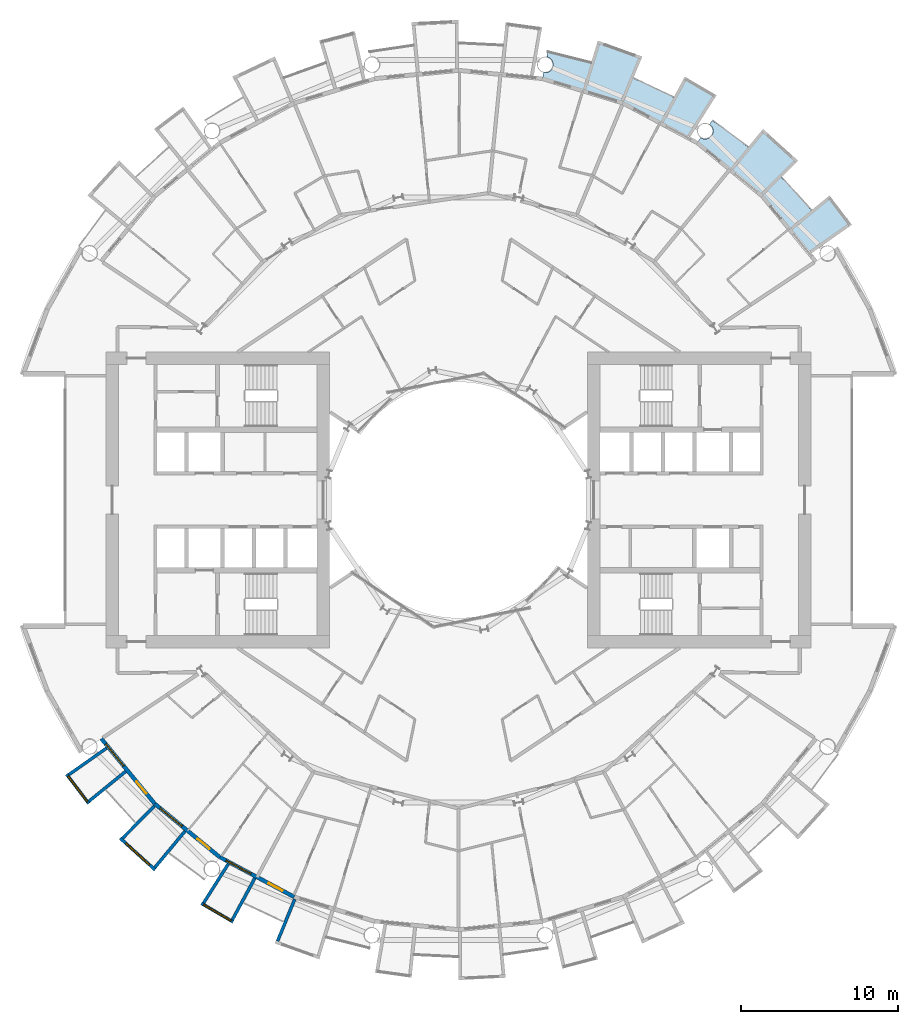
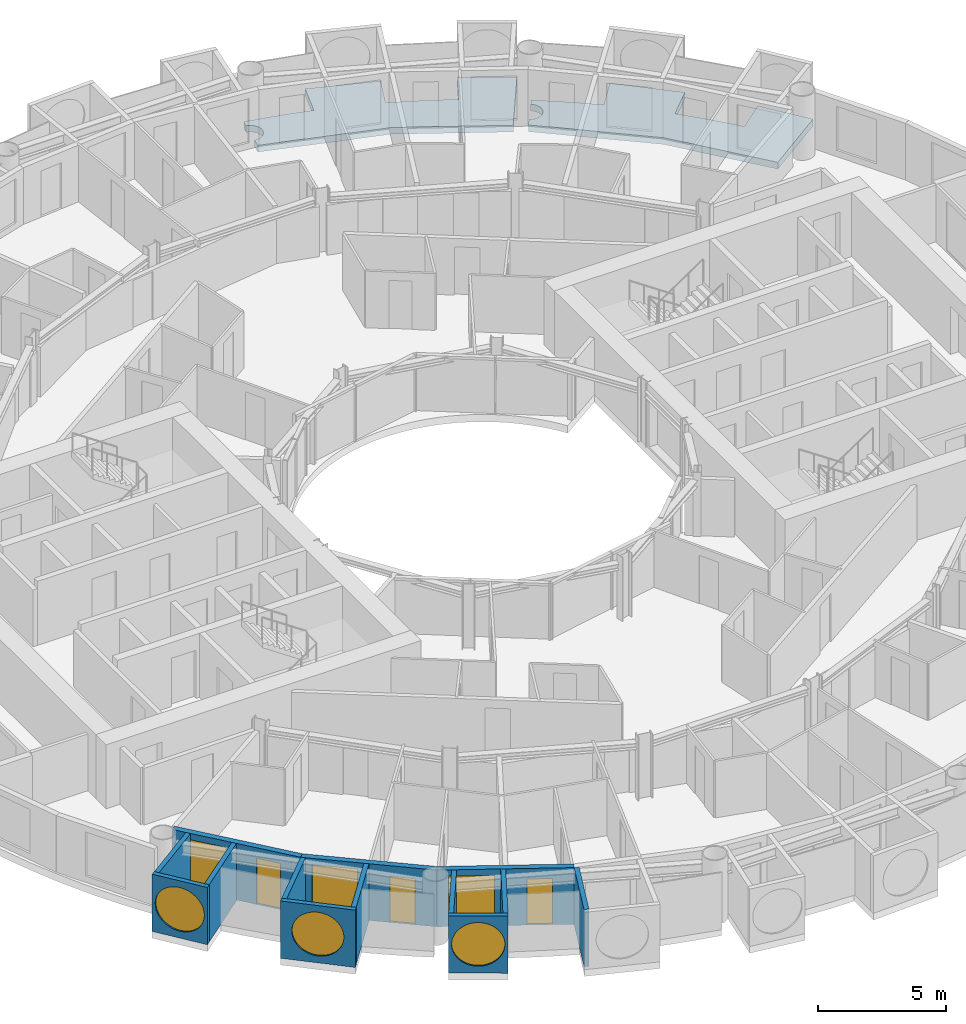
# One storey, part 12 of 26: 13 walls, 6 windows, 3 doors, 2 slabs, 9 openings.
"""IFC4 building model written with IfcOpenShell, lengths in metres."""

from ifc_helpers import new_model, si_unit, direction, frame, frame_2d, origin, place, context, subcontext, project, spatial, polyline, rectangle, circle, outline, extrude, material, layer, layer_set, type_object, element, fill, save


model = new_model("IFC4")

# Units and contexts
model_context = context("Model", 3, precision=1e-05, world=origin(), true_north=direction((0.0, 1.0)))
body_context = subcontext(model_context, "Body", "Model", "MODEL_VIEW")
ifc_project = project(units=[si_unit("LENGTHUNIT", "METRE"), si_unit("AREAUNIT", "SQUARE_METRE"), si_unit("VOLUMEUNIT", "CUBIC_METRE"), si_unit("PLANEANGLEUNIT", "RADIAN"), si_unit("MASSUNIT", "GRAM", prefix="KILO")], contexts=[model_context])

# Site, building, storey
site_placement = place(None, origin())
site = spatial("IfcSite", under=ifc_project, at=site_placement, CompositionType="ELEMENT")
building_placement = place(site_placement, origin())
building = spatial("IfcBuilding", under=site, at=building_placement, Name="Maasbend Ring Residences", CompositionType="ELEMENT")
storey_placement = place(building_placement, frame((0.0, 0.0, 28.89990234375)))
storey = spatial("IfcBuildingStorey", under=building, at=storey_placement, Name="L07", CompositionType="ELEMENT", Elevation=28.89990234375)

# Slabs
ifc_material_1 = material(Name="Concrete C40/50", Category="concrete")
ifc_layer_1 = layer(ifc_material_1, 0.199951171875)
ifc_layer_set_1 = layer_set([ifc_layer_1], Name="Concrete C40/50")
slab_type = type_object("IfcSlabType", Name="SL-LOGGIA", PredefinedType="FLOOR", material=ifc_layer_set_1)
slab_1_placement = place(storey_placement, frame((0.0, 0.0, -0.349853515625)))
element("IfcSlab", 1, at=slab_1_placement, inside=storey, type_object=slab_type, Name="Loggia floor 2", PredefinedType="FLOOR", context=body_context, shape_type="SweptSolid", body=[
    extrude(outline(polyline([(5.43896484375, 27.154052734375), (5.451904296875, 27.153076171875), (5.464111328125, 27.15087890625), (5.47705078125, 27.15087890625), (5.489013671875, 27.14990234375), (5.501953125, 27.14990234375), (5.513916015625, 27.14990234375), (5.52587890625, 27.15087890625), (5.5390625, 27.15087890625), (5.551025390625, 27.153076171875), (5.56396484375, 27.154052734375), (5.575927734375, 27.156005859375), (5.587890625, 27.157958984375), (5.60107421875, 27.159912109375), (5.613037109375, 27.162109375), (5.625, 27.1650390625), (5.636962890625, 27.1689453125), (5.64892578125, 27.172119140625), (5.660888671875, 27.176025390625), (5.673095703125, 27.179931640625), (5.68408203125, 27.18408203125), (5.696044921875, 27.18896484375), (5.70703125, 27.194091796875), (5.718994140625, 27.198974609375), (5.72998046875, 27.2041015625), (5.740966796875, 27.2099609375), (5.751953125, 27.216064453125), (5.762939453125, 27.221923828125), (5.77294921875, 27.22900390625), (5.783935546875, 27.236083984375), (5.7939453125, 27.242919921875), (5.803955078125, 27.25), (5.81396484375, 27.258056640625), (5.823974609375, 27.264892578125), (5.8330078125, 27.27294921875), (5.843017578125, 27.281982421875), (5.85205078125, 27.2900390625), (5.861083984375, 27.299072265625), (5.868896484375, 27.30810546875), (5.8779296875, 27.31689453125), (5.885986328125, 27.325927734375), (5.89404296875, 27.3359375), (5.902099609375, 27.345947265625), (5.909912109375, 27.35498046875), (5.9169921875, 27.365966796875), (5.924072265625, 27.3759765625), (5.930908203125, 27.385986328125), (5.93701171875, 27.39697265625), (5.944091796875, 27.407958984375), (5.949951171875, 27.4189453125), (5.955078125, 27.429931640625), (5.9609375, 27.44091796875), (5.966064453125, 27.451904296875), (5.970947265625, 27.464111328125), (5.97509765625, 27.47509765625), (5.97998046875, 27.487060546875), (5.98388671875, 27.4990234375), (5.988037109375, 27.510986328125), (5.990966796875, 27.52294921875), (5.993896484375, 27.534912109375), (5.9970703125, 27.547119140625), (6.0, 27.55908203125), (6.001953125, 27.571044921875), (6.00390625, 27.583984375), (6.006103515625, 27.595947265625), (6.007080078125, 27.60791015625), (6.008056640625, 27.62109375), (6.009033203125, 27.633056640625), (6.009033203125, 27.64599609375), (6.010009765625, 27.657958984375), (6.009033203125, 27.6708984375), (6.009033203125, 27.68310546875), (6.008056640625, 27.695068359375), (6.007080078125, 27.7080078125), (6.006103515625, 27.719970703125), (6.00390625, 27.73291015625), (6.001953125, 27.7451171875), (6.0, 27.757080078125), (5.9970703125, 27.76904296875), (5.993896484375, 27.781982421875), (5.990966796875, 27.7939453125), (5.988037109375, 27.805908203125), (5.98388671875, 27.81689453125), (5.97998046875, 27.8291015625), (5.97509765625, 27.841064453125), (5.970947265625, 27.85302734375), (5.966064453125, 27.864013671875), (5.9609375, 27.875), (5.955078125, 27.886962890625), (5.949951171875, 27.89794921875), (5.944091796875, 27.907958984375), (5.93701171875, 27.9189453125), (5.930908203125, 27.929931640625), (5.924072265625, 27.93994140625), (5.9169921875, 27.950927734375), (5.909912109375, 27.9609375), (5.902099609375, 27.970947265625), (5.89404296875, 27.97998046875), (5.885986328125, 27.989990234375), (5.8779296875, 27.9990234375), (5.868896484375, 28.008056640625), (5.861083984375, 28.01708984375), (5.85205078125, 28.02587890625), (5.843017578125, 28.034912109375), (5.8330078125, 28.04296875), (5.823974609375, 28.051025390625), (5.81396484375, 28.05908203125), (5.803955078125, 28.06591796875), (5.7939453125, 28.072998046875), (5.783935546875, 28.080078125), (5.77294921875, 28.0869140625), (5.762939453125, 28.093994140625), (5.751953125, 28.10009765625), (5.740966796875, 28.10595703125), (5.72998046875, 28.112060546875), (5.718994140625, 28.116943359375), (5.70703125, 28.123046875), (5.696044921875, 28.126953125), (5.68408203125, 28.132080078125), (5.673095703125, 28.135986328125), (5.660888671875, 28.139892578125), (5.64892578125, 28.14404296875), (5.636962890625, 28.14794921875), (5.625, 28.15087890625), (5.613037109375, 28.154052734375), (5.60107421875, 28.156005859375), (5.657958984375, 28.443115234375), (5.657958984375, 28.443115234375), (5.657958984375, 28.443115234375), (6.5849609375, 28.241943359375), (6.5849609375, 28.241943359375), (7.506103515625, 28.011962890625), (7.506103515625, 28.011962890625), (8.41796875, 27.7509765625), (8.41796875, 27.7509765625), (8.41796875, 27.7509765625), (8.41796875, 27.7509765625), (8.41796875, 27.7509765625), (8.41796875, 27.7509765625), (8.41796875, 27.7509765625), (8.41796875, 27.7509765625), (8.41796875, 27.7509765625), (8.41796875, 27.7509765625), (8.41796875, 27.751953125), (8.41796875, 27.751953125), (8.41796875, 27.751953125), (8.41796875, 27.751953125), (8.41796875, 27.751953125), (8.41796875, 27.751953125), (8.41796875, 27.751953125), (8.85400390625, 29.18701171875), (8.85400390625, 29.18701171875), (8.85400390625, 29.18701171875), (11.672119140625, 28.177978515625), (11.672119140625, 28.177978515625), (11.672119140625, 28.177978515625), (11.097900390625, 26.79296875), (11.097900390625, 26.79296875), (11.097900390625, 26.79296875), (11.097900390625, 26.79296875), (11.097900390625, 26.79296875), (11.097900390625, 26.79296875), (11.097900390625, 26.79296875), (11.097900390625, 26.79296875), (11.097900390625, 26.79296875), (11.097900390625, 26.79296875), (11.097900390625, 26.7919921875), (11.097900390625, 26.7919921875), (11.097900390625, 26.7919921875), (11.097900390625, 26.7919921875), (11.097900390625, 26.7919921875), (11.097900390625, 26.7919921875), (11.097900390625, 26.7919921875), (11.968994140625, 26.4150390625), (11.968994140625, 26.4150390625), (12.825927734375, 26.009033203125), (12.825927734375, 26.009033203125), (13.669921875, 25.575927734375), (13.669921875, 25.575927734375), (13.669921875, 25.575927734375), (13.669921875, 25.575927734375), (13.669921875, 25.575927734375), (13.669921875, 25.575927734375), (13.669921875, 25.575927734375), (13.669921875, 25.575927734375), (13.669921875, 25.575927734375), (13.669921875, 25.575927734375), (13.6708984375, 25.575927734375), (13.6708984375, 25.575927734375), (13.6708984375, 25.575927734375), (13.6708984375, 25.575927734375), (13.6708984375, 25.575927734375), (13.6708984375, 25.575927734375), (13.6708984375, 25.575927734375), (14.3779296875, 26.89892578125), (14.3779296875, 26.89892578125), (14.3779296875, 26.89892578125), (16.39404296875, 25.718994140625), (16.39404296875, 25.718994140625), (16.39404296875, 25.718994140625), (14.64599609375, 22.97705078125), (14.64599609375, 22.97705078125), (14.64599609375, 22.97705078125), (12.806884765625, 23.9609375), (10.447021484375, 25.221923828125), (10.447021484375, 25.221923828125), (10.447021484375, 25.221923828125), (7.886962890625, 25.9990234375), (5.325927734375, 26.77490234375), (5.325927734375, 26.77490234375), (5.325927734375, 26.77490234375), (5.402099609375, 27.159912109375), (5.4150390625, 27.157958984375), (5.427001953125, 27.156005859375), (5.43896484375, 27.154052734375)])), origin(), (0.0, 0.0, 1.0), 0.320068359375),
])
slab_2_placement = place(storey_placement, frame((0.0, 0.0, -0.349853515625)))
element("IfcSlab", 2, at=slab_2_placement, inside=storey, type_object=slab_type, Name="Loggia floor 4", PredefinedType="FLOOR", context=body_context, shape_type="SweptSolid", body=[
    extrude(outline(polyline([(15.406005859375, 23.011962890625), (15.4169921875, 23.0048828125), (15.427978515625, 22.9990234375), (15.43896484375, 22.993896484375), (15.449951171875, 22.988037109375), (15.4609375, 22.98291015625), (15.472900390625, 22.97802734375), (15.48388671875, 22.972900390625), (15.49609375, 22.968994140625), (15.508056640625, 22.965087890625), (15.52001953125, 22.9609375), (15.531982421875, 22.9580078125), (15.5439453125, 22.955078125), (15.555908203125, 22.951904296875), (15.568115234375, 22.948974609375), (15.580078125, 22.947021484375), (15.593017578125, 22.945068359375), (15.60498046875, 22.943115234375), (15.616943359375, 22.94189453125), (15.6298828125, 22.94091796875), (15.64208984375, 22.93994140625), (15.655029296875, 22.93994140625), (15.6669921875, 22.93896484375), (15.679931640625, 22.93994140625), (15.69189453125, 22.93994140625), (15.7041015625, 22.94091796875), (15.717041015625, 22.94189453125), (15.72900390625, 22.943115234375), (15.741943359375, 22.945068359375), (15.75390625, 22.947021484375), (15.76611328125, 22.948974609375), (15.778076171875, 22.951904296875), (15.791015625, 22.955078125), (15.802978515625, 22.9580078125), (15.81494140625, 22.9609375), (15.825927734375, 22.965087890625), (15.837890625, 22.968994140625), (15.85009765625, 22.972900390625), (15.862060546875, 22.97802734375), (15.873046875, 22.98291015625), (15.884033203125, 22.988037109375), (15.89599609375, 22.993896484375), (15.906982421875, 22.9990234375), (15.9169921875, 23.0048828125), (15.927978515625, 23.011962890625), (15.93896484375, 23.01806640625), (15.948974609375, 23.02490234375), (15.9599609375, 23.031982421875), (15.969970703125, 23.0390625), (15.97998046875, 23.047119140625), (15.989013671875, 23.054931640625), (15.9990234375, 23.06298828125), (16.008056640625, 23.071044921875), (16.01708984375, 23.0791015625), (16.02587890625, 23.087890625), (16.034912109375, 23.096923828125), (16.0439453125, 23.10595703125), (16.052001953125, 23.115966796875), (16.06005859375, 23.125), (16.068115234375, 23.135009765625), (16.074951171875, 23.14501953125), (16.08203125, 23.155029296875), (16.089111328125, 23.1650390625), (16.095947265625, 23.176025390625), (16.10302734375, 23.18603515625), (16.10888671875, 23.197021484375), (16.114990234375, 23.2080078125), (16.12109375, 23.218994140625), (16.1259765625, 23.22998046875), (16.132080078125, 23.241943359375), (16.135986328125, 23.2529296875), (16.14111328125, 23.264892578125), (16.14501953125, 23.27587890625), (16.14892578125, 23.2880859375), (16.153076171875, 23.300048828125), (16.156982421875, 23.31201171875), (16.159912109375, 23.323974609375), (16.1630859375, 23.3359375), (16.1650390625, 23.347900390625), (16.16796875, 23.361083984375), (16.169921875, 23.373046875), (16.1708984375, 23.385009765625), (16.173095703125, 23.39794921875), (16.174072265625, 23.409912109375), (16.174072265625, 23.422119140625), (16.175048828125, 23.43505859375), (16.175048828125, 23.447021484375), (16.175048828125, 23.4599609375), (16.174072265625, 23.471923828125), (16.174072265625, 23.485107421875), (16.173095703125, 23.4970703125), (16.1708984375, 23.510009765625), (16.169921875, 23.52197265625), (16.16796875, 23.533935546875), (16.1650390625, 23.547119140625), (16.1630859375, 23.55908203125), (16.159912109375, 23.571044921875), (16.156982421875, 23.5830078125), (16.153076171875, 23.594970703125), (16.14892578125, 23.60693359375), (16.14501953125, 23.618896484375), (16.14111328125, 23.6298828125), (16.135986328125, 23.64208984375), (16.132080078125, 23.653076171875), (16.1259765625, 23.6650390625), (16.12109375, 23.676025390625), (16.114990234375, 23.68701171875), (16.10888671875, 23.697998046875), (16.10302734375, 23.708984375), (16.095947265625, 23.718994140625), (16.089111328125, 23.72998046875), (16.08203125, 23.739990234375), (16.074951171875, 23.75), (16.068115234375, 23.760009765625), (16.06005859375, 23.77001953125), (16.052001953125, 23.779052734375), (16.0439453125, 23.7890625), (16.034912109375, 23.798095703125), (16.02587890625, 23.806884765625), (16.01708984375, 23.81494140625), (16.008056640625, 23.823974609375), (15.9990234375, 23.83203125), (15.989013671875, 23.840087890625), (15.97998046875, 23.847900390625), (15.969970703125, 23.85498046875), (15.9599609375, 23.863037109375), (15.948974609375, 23.8701171875), (15.948974609375, 23.8701171875), (16.112060546875, 24.113037109375), (16.112060546875, 24.113037109375), (16.112060546875, 24.113037109375), (16.89208984375, 23.572998046875), (16.89208984375, 23.572998046875), (17.654052734375, 23.007080078125), (17.654052734375, 23.007080078125), (18.39697265625, 22.41796875), (18.39697265625, 22.41796875), (18.39697265625, 22.41796875), (18.39697265625, 22.41796875), (18.39697265625, 22.41796875), (18.39697265625, 22.41796875), (18.39697265625, 22.41796875), (18.39697265625, 22.41796875), (18.39697265625, 22.41796875), (18.39697265625, 22.41796875), (18.39697265625, 22.41796875), (18.39794921875, 22.41796875), (18.39794921875, 22.41796875), (18.39794921875, 22.41796875), (18.39794921875, 22.41796875), (18.39794921875, 22.41796875), (18.39794921875, 22.41796875), (19.34912109375, 23.576904296875), (19.34912109375, 23.576904296875), (19.34912109375, 23.576904296875), (21.56689453125, 21.56689453125), (21.56689453125, 21.56689453125), (21.56689453125, 21.56689453125), (20.506103515625, 20.506103515625), (20.506103515625, 20.506103515625), (20.506103515625, 20.506103515625), (20.506103515625, 20.506103515625), (20.506103515625, 20.506103515625), (20.506103515625, 20.506103515625), (20.506103515625, 20.506103515625), (20.506103515625, 20.506103515625), (20.506103515625, 20.506103515625), (20.506103515625, 20.506103515625), (20.506103515625, 20.506103515625), (20.506103515625, 20.506103515625), (20.506103515625, 20.506103515625), (20.506103515625, 20.506103515625), (20.506103515625, 20.506103515625), (20.506103515625, 20.506103515625), (20.506103515625, 20.506103515625), (21.166015625, 19.823974609375), (21.166015625, 19.823974609375), (21.802978515625, 19.12109375), (21.802978515625, 19.12109375), (22.4169921875, 18.39794921875), (22.4169921875, 18.39794921875), (22.4169921875, 18.39794921875), (22.4169921875, 18.39794921875), (22.4169921875, 18.39794921875), (22.4169921875, 18.39794921875), (22.4169921875, 18.39794921875), (22.4169921875, 18.39794921875), (22.4169921875, 18.39794921875), (22.4169921875, 18.39794921875), (22.4169921875, 18.39794921875), (22.4169921875, 18.39794921875), (22.41796875, 18.39794921875), (22.41796875, 18.39794921875), (22.41796875, 18.39794921875), (22.41796875, 18.39794921875), (22.41796875, 18.39794921875), (23.576904296875, 19.34912109375), (23.576904296875, 19.34912109375), (23.576904296875, 19.34912109375), (24.989013671875, 17.488037109375), (24.989013671875, 17.488037109375), (24.989013671875, 17.488037109375), (22.324951171875, 15.623046875), (22.324951171875, 15.623046875), (22.324951171875, 15.623046875), (21.001953125, 17.236083984375), (19.303955078125, 19.303955078125), (19.303955078125, 19.303955078125), (19.303955078125, 19.303955078125), (17.236083984375, 21.001953125), (15.1669921875, 22.698974609375), (15.1669921875, 22.698974609375), (15.1669921875, 22.698974609375), (15.385009765625, 23.02490234375), (15.385009765625, 23.02490234375), (15.39501953125, 23.01806640625), (15.406005859375, 23.011962890625)])), origin(), (0.0, 0.0, 1.0), 0.320068359375),
])

# Wall, opening, window
ifc_material_2 = material(Name="Pale anodised aluminium panel", Category="aluminium")
ifc_layer_2 = layer(ifc_material_2, 0.199951171875)
ifc_layer_set_2 = layer_set([ifc_layer_2], Name="EW-BOX")
wall_type_1 = type_object("IfcWallType", Name="EW-BOX", PredefinedType="SOLIDWALL", material=ifc_layer_set_2)
wall_1_placement = place(storey_placement, frame((-24.908935546875, -17.427001953125, -0.02978515625), z_axis=(0.0, 0.0, 1.0), x_axis=(0.60418752353, -0.796842165306, 0.0)))
wall_1 = element("IfcWall", 3, at=wall_1_placement, inside=storey, type_object=wall_type_1, Name="Box front S01", PredefinedType="SOLIDWALL", context=body_context, shape_type="SweptSolid", body=[
    extrude(rectangle(XDim=2.3369140625, YDim=0.199951171875, at=frame_2d((1.16845703125, 0.0))), origin(), (0.0, 0.0, 1.0), 2.72998046875),
])
opening_1_placement = place(wall_1_placement, frame((0.128173828125, 0.0, 0.330078125)))
opening_1 = element("IfcOpeningElement", 4, at=opening_1_placement, cuts=wall_1, Name="Opening W-RD", PredefinedType="OPENING", context=body_context, shape_type="SweptSolid", body=[
    extrude(circle(Radius=1.0400390625, at=frame_2d((1.0400390625, 1.0400390625))), frame((0.0, 0.10986328125, 0.0), z_axis=(0.0, -1.0, 0.0), x_axis=(1.0, 0.0, 0.0)), (0.0, 0.0, 1.0), 0.219970703125),
])
ifc_material_3 = material(Name="Aluminium and clear glass", Category="aluminium")
window_type_1 = type_object("IfcWindowType", Name="W-RD", PartitioningType="SINGLE_PANEL", PredefinedType="WINDOW", material=ifc_material_3)
window_1_placement = place(opening_1_placement, origin())
window_1 = element("IfcWindow", 5, at=window_1_placement, inside=storey, type_object=window_type_1, Name="Round window S01", OverallHeight=2.080078125, OverallWidth=2.080078125, PartitioningType="SINGLE_PANEL", PredefinedType="WINDOW", context=body_context, shape_type="SweptSolid", body=[
    extrude(circle(Radius=1.0400390625, at=frame_2d((1.0400390625, 1.0400390625))), frame((0.0, 0.030029296875, 0.0), z_axis=(0.0, -1.0, 0.0), x_axis=(1.0, 0.0, 0.0)), (0.0, 0.0, 1.0), 0.06005859375),
])
fill(opening_1, window_1)

# Walls
wall_2_placement = place(storey_placement, frame((-22.3701171875, -15.764892578125, -0.02978515625), z_axis=(0.0, 0.0, 1.0), x_axis=(-0.817256123454, -0.576274612209, 0.0)))
element("IfcWall", 6, at=wall_2_placement, inside=storey, type_object=wall_type_1, Name="Box side wall S01 left", PredefinedType="SOLIDWALL", context=body_context, shape_type="SweptSolid", body=[
    extrude(rectangle(XDim=2.932861328125, YDim=0.199951171875, at=frame_2d((1.46630859375, 0.0))), origin(), (0.0, 0.0, 1.0), 2.72998046875),
])
wall_3_placement = place(storey_placement, frame((-21.155029296875, -17.24609375, -0.02978515625), z_axis=(0.0, 0.0, 1.0), x_axis=(-0.775179004516, -0.631741648902, 0.0)))
element("IfcWall", 7, at=wall_3_placement, inside=storey, type_object=wall_type_1, Name="Box side wall S01 right", PredefinedType="SOLIDWALL", context=body_context, shape_type="SweptSolid", body=[
    extrude(rectangle(XDim=3.005859375, YDim=0.199951171875, at=frame_2d((1.5029296875, 0.0))), origin(), (0.0, 0.0, 1.0), 2.72998046875),
])

# Wall, opening, window
wall_4_placement = place(storey_placement, frame((-21.5, -21.492919921875, -0.02978515625), z_axis=(0.0, 0.0, 1.0), x_axis=(0.740998365753, -0.671506829416, 0.0)))
wall_4 = element("IfcWall", 8, at=wall_4_placement, inside=storey, type_object=wall_type_1, Name="Box front S03", PredefinedType="SOLIDWALL", context=body_context, shape_type="SweptSolid", body=[
    extrude(rectangle(XDim=2.9931640625, YDim=0.199951171875, at=frame_2d((1.49658203125, 0.0))), origin(), (0.0, 0.0, 1.0), 2.72998046875),
])
opening_2_placement = place(wall_4_placement, frame((0.45654296875, 0.0, 0.330078125)))
opening_2 = element("IfcOpeningElement", 9, at=opening_2_placement, cuts=wall_4, Name="Opening W-RD", PredefinedType="OPENING", context=body_context, shape_type="SweptSolid", body=[
    extrude(circle(Radius=1.0400390625, at=frame_2d((1.0400390625, 1.0400390625))), frame((0.0, 0.10986328125, 0.0), z_axis=(0.0, -1.0, 0.0), x_axis=(1.0, 0.0, 0.0)), (0.0, 0.0, 1.0), 0.219970703125),
])
window_2_placement = place(opening_2_placement, origin())
window_2 = element("IfcWindow", 10, at=window_2_placement, inside=storey, type_object=window_type_1, Name="Round window S03", OverallHeight=2.080078125, OverallWidth=2.080078125, PartitioningType="SINGLE_PANEL", PredefinedType="WINDOW", context=body_context, shape_type="SweptSolid", body=[
    extrude(circle(Radius=1.0400390625, at=frame_2d((1.0400390625, 1.0400390625))), frame((0.0, 0.030029296875, 0.0), z_axis=(0.0, -1.0, 0.0), x_axis=(1.0, 0.0, 0.0)), (0.0, 0.0, 1.0), 0.06005859375),
])
fill(opening_2, window_2)

# Walls
wall_5_placement = place(storey_placement, frame((-19.322998046875, -19.449951171875, -0.02978515625), z_axis=(0.0, 0.0, 1.0), x_axis=(-0.704476739375, -0.709727076896, 0.0)))
element("IfcWall", 11, at=wall_5_placement, inside=storey, type_object=wall_type_1, Name="Box side wall S03 left", PredefinedType="SOLIDWALL", context=body_context, shape_type="SweptSolid", body=[
    extrude(rectangle(XDim=2.883056640625, YDim=0.199951171875, at=frame_2d((1.44140625, 0.0))), origin(), (0.0, 0.0, 1.0), 2.72998046875),
])
wall_6_placement = place(storey_placement, frame((-17.384033203125, -21.041015625, -0.02978515625), z_axis=(0.0, 0.0, 1.0), x_axis=(-0.63709551667, -0.770784861449, 0.0)))
element("IfcWall", 12, at=wall_6_placement, inside=storey, type_object=wall_type_1, Name="Box side wall S03 right", PredefinedType="SOLIDWALL", context=body_context, shape_type="SweptSolid", body=[
    extrude(rectangle(XDim=3.005859375, YDim=0.199951171875, at=frame_2d((1.5029296875, 0.0))), origin(), (0.0, 0.0, 1.0), 2.72998046875),
])

# Wall, opening, window
wall_7_placement = place(storey_placement, frame((-16.343994140625, -25.633056640625, -0.02978515625), z_axis=(0.0, 0.0, 1.0), x_axis=(0.863346521872, -0.504611517081, 0.0)))
wall_7 = element("IfcWall", 13, at=wall_7_placement, inside=storey, type_object=wall_type_1, Name="Box front S05", PredefinedType="SOLIDWALL", context=body_context, shape_type="SweptSolid", body=[
    extrude(rectangle(XDim=2.33642578125, YDim=0.199951171875, at=frame_2d((1.168212890625, 0.0))), origin(), (0.0, 0.0, 1.0), 2.72998046875),
])
opening_3_placement = place(wall_7_placement, frame((0.128173828125, 0.0, 0.330078125)))
opening_3 = element("IfcOpeningElement", 14, at=opening_3_placement, cuts=wall_7, Name="Opening W-RD", PredefinedType="OPENING", context=body_context, shape_type="SweptSolid", body=[
    extrude(circle(Radius=1.0400390625, at=frame_2d((1.0400390625, 1.0400390625))), frame((0.0, 0.10986328125, 0.0), z_axis=(0.0, -1.0, 0.0), x_axis=(1.0, 0.0, 0.0)), (0.0, 0.0, 1.0), 0.219970703125),
])
window_3_placement = place(opening_3_placement, origin())
window_3 = element("IfcWindow", 15, at=window_3_placement, inside=storey, type_object=window_type_1, Name="Round window S05", OverallHeight=2.080078125, OverallWidth=2.080078125, PartitioningType="SINGLE_PANEL", PredefinedType="WINDOW", context=body_context, shape_type="SweptSolid", body=[
    extrude(circle(Radius=1.0400390625, at=frame_2d((1.0400390625, 1.0400390625))), frame((0.0, 0.030029296875, 0.0), z_axis=(0.0, -1.0, 0.0), x_axis=(1.0, 0.0, 0.0)), (0.0, 0.0, 1.0), 0.06005859375),
])
fill(opening_3, window_3)

# Walls
wall_8_placement = place(storey_placement, frame((-14.635009765625, -23.1259765625, -0.02978515625), z_axis=(0.0, 0.0, 1.0), x_axis=(-0.534437802731, -0.845207805816, 0.0)))
element("IfcWall", 16, at=wall_8_placement, inside=storey, type_object=wall_type_1, Name="Box side wall S05 left", PredefinedType="SOLIDWALL", context=body_context, shape_type="SweptSolid", body=[
    extrude(rectangle(XDim=2.931884765625, YDim=0.199951171875, at=frame_2d((1.4658203125, 0.0))), origin(), (0.0, 0.0, 1.0), 2.72998046875),
])
wall_9_placement = place(storey_placement, frame((-12.945068359375, -24.029052734375, -0.02978515625), z_axis=(0.0, 0.0, 1.0), x_axis=(-0.474424310775, -0.88029629861, 0.0)))
element("IfcWall", 17, at=wall_9_placement, inside=storey, type_object=wall_type_1, Name="Box side wall S05 right", PredefinedType="SOLIDWALL", context=body_context, shape_type="SweptSolid", body=[
    extrude(rectangle(XDim=3.005859375, YDim=0.199951171875, at=frame_2d((1.5029296875, 0.0))), origin(), (0.0, 0.0, 1.0), 2.72998046875),
])
wall_10_placement = place(storey_placement, frame((-10.408935546875, -25.364013671875, -0.02978515625), z_axis=(0.0, 0.0, 1.0), x_axis=(-0.379509886562, -0.925187681501, 0.0)))
element("IfcWall", 18, at=wall_10_placement, inside=storey, type_object=wall_type_1, Name="Box side wall S07 left", PredefinedType="SOLIDWALL", context=body_context, shape_type="SweptSolid", body=[
    extrude(rectangle(XDim=2.882568359375, YDim=0.199951171875, at=frame_2d((1.44140625, 0.0))), origin(), (0.0, 0.0, 1.0), 2.72998046875),
])

# Wall, openings, door, window
ifc_material_4 = material(Name="Aluminium clad insulated panel", Category="aluminium")
ifc_layer_3 = layer(ifc_material_4, 0.25)
ifc_layer_set_3 = layer_set([ifc_layer_3], Name="EW-GL")
wall_type_2 = type_object("IfcWallType", Name="EW-GL", PredefinedType="SOLIDWALL", material=ifc_layer_set_3)
wall_11_placement = place(storey_placement, frame((-22.698974609375, -15.1669921875, 0.0), z_axis=(0.0, 0.0, 1.0), x_axis=(0.634382322723, -0.773019449054, 0.0)))
wall_11 = element("IfcWall", 19, at=wall_11_placement, inside=storey, type_object=wall_type_2, Name="External wall S01", PredefinedType="SOLIDWALL", context=body_context, shape_type="SweptSolid", body=[
    extrude(rectangle(XDim=5.351806640625, YDim=0.25, at=frame_2d((2.67578125, 0.0))), origin(), (0.0, 0.0, 1.0), 2.7001953125),
])
opening_4_placement = place(wall_11_placement, frame((0.441162109375, 0.0, 0.300048828125)))
opening_4 = element("IfcOpeningElement", 20, at=opening_4_placement, cuts=wall_11, Name="Opening W-BX", PredefinedType="OPENING", context=body_context, shape_type="SweptSolid", body=[
    extrude(rectangle(XDim=1.800048828125, YDim=2.10009765625, at=frame_2d((0.89990234375, 1.050048828125))), frame((0.0, 0.135009765625, 0.0), z_axis=(0.0, -1.0, 0.0), x_axis=(1.0, 0.0, 0.0)), (0.0, 0.0, 1.0), 0.27001953125),
])
opening_5_placement = place(wall_11_placement, frame((3.510498046875, 0.0, 0.0)))
opening_5 = element("IfcOpeningElement", 21, at=opening_5_placement, cuts=wall_11, Name="Opening D-LG", PredefinedType="OPENING", context=body_context, shape_type="SweptSolid", body=[
    extrude(rectangle(XDim=1.0, YDim=2.199951171875, at=frame_2d((0.5, 1.10009765625))), frame((0.0, 0.135009765625, 0.0), z_axis=(0.0, -1.0, 0.0), x_axis=(1.0, 0.0, 0.0)), (0.0, 0.0, 1.0), 0.27001953125),
])
ifc_material_5 = material(Name="Aluminium and clear glass", Category="aluminium")
door_type = type_object("IfcDoorType", Name="D-LG", OperationType="SINGLE_SWING_LEFT", PredefinedType="DOOR", material=ifc_material_5)
door_1_placement = place(opening_5_placement, origin())
door_1 = element("IfcDoor", 22, at=door_1_placement, inside=storey, type_object=door_type, Name="Loggia door S02", OperationType="SINGLE_SWING_LEFT", OverallHeight=2.199951171875, OverallWidth=1.0, PredefinedType="DOOR", context=body_context, shape_type="SweptSolid", body=[
    extrude(rectangle(XDim=1.0, YDim=2.199951171875, at=frame_2d((0.5, 1.10009765625))), frame((0.0, 0.02490234375, 0.0), z_axis=(0.0, -1.0, 0.0), x_axis=(1.0, 0.0, 0.0)), (0.0, 0.0, 1.0), 0.050048828125),
])
fill(opening_5, door_1)
ifc_material_6 = material(Name="Aluminium and clear glass", Category="aluminium")
window_type_2 = type_object("IfcWindowType", Name="W-BX", PartitioningType="DOUBLE_PANEL_VERTICAL", PredefinedType="WINDOW", material=ifc_material_6)
window_4_placement = place(opening_4_placement, origin())
window_4 = element("IfcWindow", 23, at=window_4_placement, inside=storey, type_object=window_type_2, Name="Window S01 room to box", OverallHeight=2.10009765625, OverallWidth=1.800048828125, PartitioningType="SINGLE_PANEL", PredefinedType="WINDOW", context=body_context, shape_type="SweptSolid", body=[
    extrude(rectangle(XDim=1.800048828125, YDim=2.10009765625, at=frame_2d((0.89990234375, 1.050048828125))), frame((0.0, 0.030029296875, 0.0), z_axis=(0.0, -1.0, 0.0), x_axis=(1.0, 0.0, 0.0)), (0.0, 0.0, 1.0), 0.06005859375),
])
fill(opening_4, window_4)

wall_12_placement = place(storey_placement, frame((-19.303955078125, -19.303955078125, 0.0), z_axis=(0.0, 0.0, 1.0), x_axis=(0.773019449054, -0.634382322723, 0.0)))
wall_12 = element("IfcWall", 24, at=wall_12_placement, inside=storey, type_object=wall_type_2, Name="External wall S02", PredefinedType="SOLIDWALL", context=body_context, shape_type="SweptSolid", body=[
    extrude(rectangle(XDim=5.351806640625, YDim=0.25, at=frame_2d((2.67578125, 0.0))), origin(), (0.0, 0.0, 1.0), 2.7001953125),
])
opening_6_placement = place(wall_12_placement, frame((0.441162109375, 0.0, 0.300048828125)))
opening_6 = element("IfcOpeningElement", 25, at=opening_6_placement, cuts=wall_12, Name="Opening W-BX", PredefinedType="OPENING", context=body_context, shape_type="SweptSolid", body=[
    extrude(rectangle(XDim=1.800048828125, YDim=2.10009765625, at=frame_2d((0.89990234375, 1.050048828125))), frame((0.0, 0.135009765625, 0.0), z_axis=(0.0, -1.0, 0.0), x_axis=(1.0, 0.0, 0.0)), (0.0, 0.0, 1.0), 0.27001953125),
])
opening_7_placement = place(wall_12_placement, frame((3.510498046875, 0.0, 0.0)))
opening_7 = element("IfcOpeningElement", 26, at=opening_7_placement, cuts=wall_12, Name="Opening D-LG", PredefinedType="OPENING", context=body_context, shape_type="SweptSolid", body=[
    extrude(rectangle(XDim=1.0, YDim=2.199951171875, at=frame_2d((0.5, 1.10009765625))), frame((0.0, 0.135009765625, 0.0), z_axis=(0.0, -1.0, 0.0), x_axis=(1.0, 0.0, 0.0)), (0.0, 0.0, 1.0), 0.27001953125),
])
door_2_placement = place(opening_7_placement, origin())
door_2 = element("IfcDoor", 27, at=door_2_placement, inside=storey, type_object=door_type, Name="Loggia door S04", OperationType="SINGLE_SWING_LEFT", OverallHeight=2.199951171875, OverallWidth=1.0, PredefinedType="DOOR", context=body_context, shape_type="SweptSolid", body=[
    extrude(rectangle(XDim=1.0, YDim=2.199951171875, at=frame_2d((0.5, 1.10009765625))), frame((0.0, 0.02490234375, 0.0), z_axis=(0.0, -1.0, 0.0), x_axis=(1.0, 0.0, 0.0)), (0.0, 0.0, 1.0), 0.050048828125),
])
fill(opening_7, door_2)
window_5_placement = place(opening_6_placement, origin())
window_5 = element("IfcWindow", 28, at=window_5_placement, inside=storey, type_object=window_type_2, Name="Window S03 room to box", OverallHeight=2.10009765625, OverallWidth=1.800048828125, PartitioningType="SINGLE_PANEL", PredefinedType="WINDOW", context=body_context, shape_type="SweptSolid", body=[
    extrude(rectangle(XDim=1.800048828125, YDim=2.10009765625, at=frame_2d((0.89990234375, 1.050048828125))), frame((0.0, 0.030029296875, 0.0), z_axis=(0.0, -1.0, 0.0), x_axis=(1.0, 0.0, 0.0)), (0.0, 0.0, 1.0), 0.06005859375),
])
fill(opening_6, window_5)

wall_13_placement = place(storey_placement, frame((-15.1669921875, -22.698974609375, 0.0), z_axis=(0.0, 0.0, 1.0), x_axis=(0.881915646801, -0.471407246368, 0.0)))
wall_13 = element("IfcWall", 29, at=wall_13_placement, inside=storey, type_object=wall_type_2, Name="External wall S03", PredefinedType="SOLIDWALL", context=body_context, shape_type="SweptSolid", body=[
    extrude(rectangle(XDim=5.35205078125, YDim=0.25, at=frame_2d((2.676025390625, 0.0))), origin(), (0.0, 0.0, 1.0), 2.7001953125),
])
opening_8_placement = place(wall_13_placement, frame((0.441162109375, 0.0, 0.300048828125)))
opening_8 = element("IfcOpeningElement", 30, at=opening_8_placement, cuts=wall_13, Name="Opening W-BX", PredefinedType="OPENING", context=body_context, shape_type="SweptSolid", body=[
    extrude(rectangle(XDim=1.800048828125, YDim=2.10009765625, at=frame_2d((0.89990234375, 1.050048828125))), frame((0.0, 0.135009765625, 0.0), z_axis=(0.0, -1.0, 0.0), x_axis=(1.0, 0.0, 0.0)), (0.0, 0.0, 1.0), 0.27001953125),
])
opening_9_placement = place(wall_13_placement, frame((3.510498046875, 0.0, 0.0)))
opening_9 = element("IfcOpeningElement", 31, at=opening_9_placement, cuts=wall_13, Name="Opening D-LG", PredefinedType="OPENING", context=body_context, shape_type="SweptSolid", body=[
    extrude(rectangle(XDim=1.0, YDim=2.199951171875, at=frame_2d((0.5, 1.10009765625))), frame((0.0, 0.135009765625, 0.0), z_axis=(0.0, -1.0, 0.0), x_axis=(1.0, 0.0, 0.0)), (0.0, 0.0, 1.0), 0.27001953125),
])
door_3_placement = place(opening_9_placement, origin())
door_3 = element("IfcDoor", 32, at=door_3_placement, inside=storey, type_object=door_type, Name="Loggia door S06", OperationType="SINGLE_SWING_LEFT", OverallHeight=2.199951171875, OverallWidth=1.0, PredefinedType="DOOR", context=body_context, shape_type="SweptSolid", body=[
    extrude(rectangle(XDim=1.0, YDim=2.199951171875, at=frame_2d((0.5, 1.10009765625))), frame((0.0, 0.02490234375, 0.0), z_axis=(0.0, -1.0, 0.0), x_axis=(1.0, 0.0, 0.0)), (0.0, 0.0, 1.0), 0.050048828125),
])
fill(opening_9, door_3)
window_6_placement = place(opening_8_placement, origin())
window_6 = element("IfcWindow", 33, at=window_6_placement, inside=storey, type_object=window_type_2, Name="Window S05 room to box", OverallHeight=2.10009765625, OverallWidth=1.800048828125, PartitioningType="SINGLE_PANEL", PredefinedType="WINDOW", context=body_context, shape_type="SweptSolid", body=[
    extrude(rectangle(XDim=1.800048828125, YDim=2.10009765625, at=frame_2d((0.89990234375, 1.050048828125))), frame((0.0, 0.030029296875, 0.0), z_axis=(0.0, -1.0, 0.0), x_axis=(1.0, 0.0, 0.0)), (0.0, 0.0, 1.0), 0.06005859375),
])
fill(opening_8, window_6)

save(model, "model.ifc")
